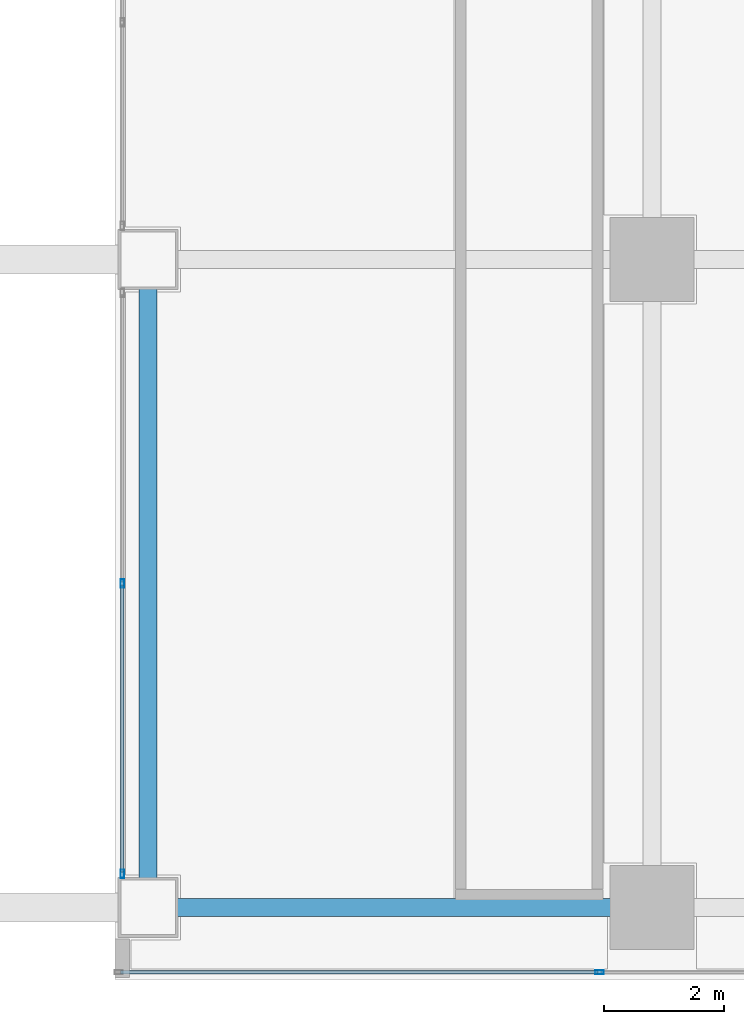
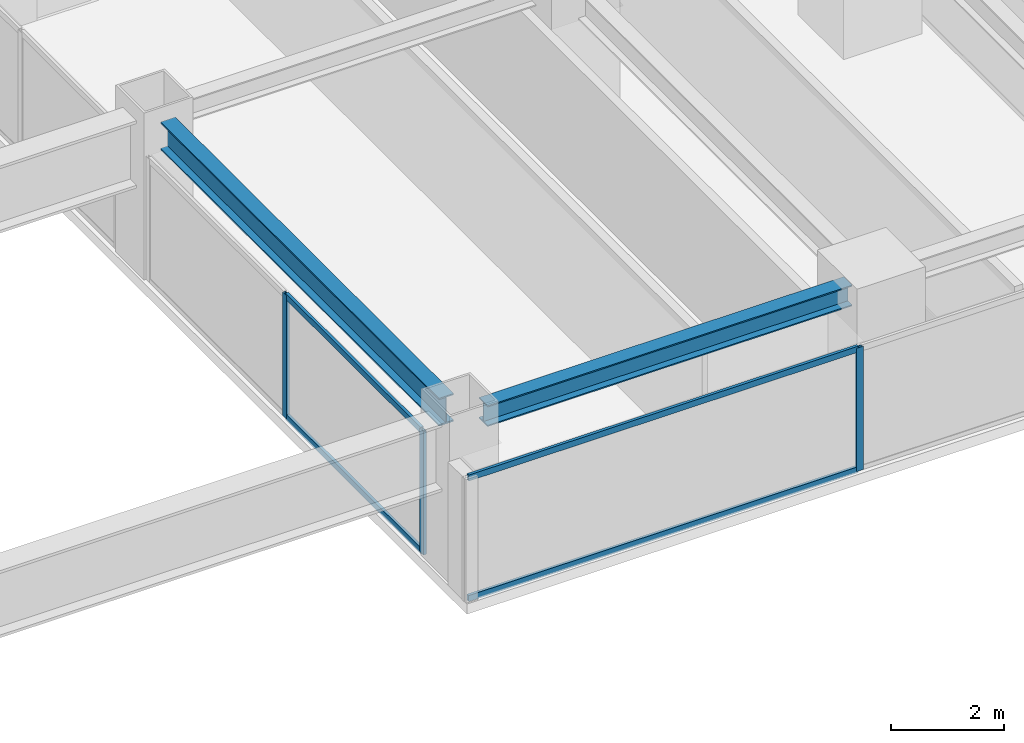
# One storey, part 14 of 32: 7 members, 2 beams, 2 elements without a shape of their own.
"""IFC4 building model written with IfcOpenShell, lengths in metres."""

from ifc_helpers import new_model, si_unit, direction, frame, origin, origin_2d, place, context, subcontext, project, spatial, hollow_rectangle, i_section, extrude, source, transform, mapped, material, layer, layer_set, material_profile, profile_set, type_object, element, aggregate, save


model = new_model("IFC4")

# Units and contexts
model_context = context("Model", 3, precision=1e-05, world=origin(), true_north=direction((0.0, 1.0)))
body_context = subcontext(model_context, "Body", "Model", "MODEL_VIEW")
ifc_project = project(units=[si_unit("LENGTHUNIT", "METRE"), si_unit("AREAUNIT", "SQUARE_METRE"), si_unit("VOLUMEUNIT", "CUBIC_METRE"), si_unit("PLANEANGLEUNIT", "RADIAN"), si_unit("MASSUNIT", "GRAM", prefix="KILO")], contexts=[model_context])

# Site, building, storey
site_placement = place(None, origin())
site = spatial("IfcSite", under=ifc_project, at=site_placement, CompositionType="ELEMENT")
building_placement = place(site_placement, origin())
building = spatial("IfcBuilding", under=site, at=building_placement, Name="Sumidabori Civic Tower", CompositionType="ELEMENT")
storey_placement = place(building_placement, frame((0.0, 0.0, 225.199951171875)))
storey = spatial("IfcBuildingStorey", under=building, at=storey_placement, Name="L58", CompositionType="ELEMENT", Elevation=225.199951171875)

# Beams
ifc_material_1 = material(Name="Steel SN490", Category="steel")
ifc_material_profile_1 = material_profile(ifc_material_1, i_section(OverallWidth=0.300048828125, OverallDepth=0.60009765625, WebThickness=0.015380859375, FlangeThickness=0.030029296875, at=origin_2d()), Name="HE 600 B")
ifc_profile_set_1 = profile_set([ifc_material_profile_1], Name="Steel SN490")
beam_type_1 = type_object("IfcBeamType", Name="BM-GIRD-600", PredefinedType="BEAM", material=ifc_profile_set_1)
shared_shape_1 = source(origin(), body_context, "Body", "SweptSolid", [
    extrude(i_section(OverallWidth=0.300048828125, OverallDepth=0.60009765625, WebThickness=0.015380859375, FlangeThickness=0.030029296875, at=origin_2d()), origin(), (0.0, 0.0, 1.0), 9.840087890625),
])
beam_1_placement = place(storey_placement, frame((8.39990234375, -10.320068359375, 2.97998046875), z_axis=(0.0, 1.0, 0.0), x_axis=(-1.0, 0.0, 0.0)))
element("IfcBeam", 1, at=beam_1_placement, inside=storey, type_object=beam_type_1, Name="Primary Girder L58 GY-18", PredefinedType="BEAM", context=body_context, shape_type="MappedRepresentation", body=[
    mapped(shared_shape_1, transform((0.0, 0.0, 0.0), x_axis=(1.0, 0.0, 0.0), y_axis=(0.0, 1.0, 0.0), z_axis=(0.0, 0.0, 1.0), scale=1.0)),
])
ifc_material_profile_2 = material_profile(ifc_material_1, i_section(OverallWidth=0.300048828125, OverallDepth=0.449951171875, WebThickness=0.013916015625, FlangeThickness=0.02587890625, at=origin_2d()), Name="HE 450 B")
ifc_profile_set_2 = profile_set([ifc_material_profile_2], Name="Steel SN490")
beam_type_2 = type_object("IfcBeamType", Name="BM-GIRD-450", PredefinedType="BEAM", material=ifc_profile_set_2)
shared_shape_2 = source(origin(), body_context, "Body", "SweptSolid", [
    extrude(i_section(OverallWidth=0.300048828125, OverallDepth=0.449951171875, WebThickness=0.013916015625, FlangeThickness=0.02587890625, at=origin_2d()), origin(), (0.0, 0.0, 1.0), 7.440185546875),
])
beam_2_placement = place(storey_placement, frame((8.8798828125, -10.800048828125, 3.054931640625), z_axis=(1.0, 0.0, 0.0), x_axis=(0.0, 1.0, 0.0)))
element("IfcBeam", 2, at=beam_2_placement, inside=storey, type_object=beam_type_2, Name="Primary Girder L58 GX-03", PredefinedType="BEAM", context=body_context, shape_type="MappedRepresentation", body=[
    mapped(shared_shape_2, transform((0.0, 0.0, 0.0), x_axis=(1.0, 0.0, 0.0), y_axis=(0.0, 1.0, 0.0), z_axis=(0.0, 0.0, 1.0), scale=1.0)),
])

# Curtain wall, members
ifc_material_2 = material(Name="Anodised Bronze Aluminium AW-6063-T6", Category="aluminium")
ifc_layer_1 = layer(ifc_material_2, 0.179931640625, Name="Anodised Bronze Aluminium AW-6063-T6")
ifc_layer_set_1 = layer_set([ifc_layer_1], Name="Anodised Bronze Aluminium AW-6063-T6")
curtain_wall_type_1 = type_object("IfcCurtainWallType", Name="CW-SYS-5", PredefinedType="NOTDEFINED", material=ifc_layer_set_1)
curtain_wall_1_placement = place(storey_placement, origin())
curtain_wall_1 = element("IfcCurtainWall", 3, at=curtain_wall_1_placement, inside=storey, type_object=curtain_wall_type_1, Name="Curtain Wall CW:L58:R09", PredefinedType="NOTDEFINED")
ifc_material_profile_3 = material_profile(ifc_material_2, hollow_rectangle(XDim=0.06005859375, YDim=0.1298828125, WallThickness=0.0048828125, at=origin_2d()), Name="ALU TRANSOM 130x60")
ifc_profile_set_3 = profile_set([ifc_material_profile_3], Name="Anodised Bronze Aluminium AW-6063-T6")
member_type_1 = type_object("IfcMemberType", Name="CW-TRN-130", PredefinedType="USERDEFINED", material=ifc_profile_set_3)
shared_shape_3 = source(origin(), body_context, "Body", "SweptSolid", [
    extrude(hollow_rectangle(XDim=0.06005859375, YDim=0.1298828125, WallThickness=0.0048828125, at=origin_2d()), origin(), (0.0, 0.0, 1.0), 7.955078125),
])
member_1_placement = place(storey_placement, frame((7.93994140625, -11.8798828125, 0.030029296875), z_axis=(1.0, 0.0, 0.0), x_axis=(0.0, 1.0, 0.0)))
member_1 = element("IfcMember", 4, at=member_1_placement, type_object=member_type_1, Name="CW-5 transom 1.1", ObjectType="TRANSOM", PredefinedType="USERDEFINED", context=body_context, shape_type="MappedRepresentation", body=[
    mapped(shared_shape_3, transform((0.0, 0.0, 0.0), x_axis=(1.0, 0.0, 0.0), y_axis=(0.0, 1.0, 0.0), z_axis=(0.0, 0.0, 1.0), scale=1.0)),
])
member_2_placement = place(storey_placement, frame((7.93994140625, -11.8798828125, 2.630126953125), z_axis=(1.0, 0.0, 0.0), x_axis=(0.0, 1.0, 0.0)))
member_2 = element("IfcMember", 5, at=member_2_placement, type_object=member_type_1, Name="CW-5 transom 1.2", ObjectType="TRANSOM", PredefinedType="USERDEFINED", context=body_context, shape_type="MappedRepresentation", body=[
    mapped(shared_shape_3, transform((0.0, 0.0, 0.0), x_axis=(1.0, 0.0, 0.0), y_axis=(0.0, 1.0, 0.0), z_axis=(0.0, 0.0, 1.0), scale=1.0)),
])

ifc_layer_2 = layer(ifc_material_2, 0.179931640625, Name="Anodised Bronze Aluminium AW-6063-T6")
ifc_layer_set_2 = layer_set([ifc_layer_2], Name="Anodised Bronze Aluminium AW-6063-T6")
curtain_wall_type_2 = type_object("IfcCurtainWallType", Name="CW-SYS-4", PredefinedType="NOTDEFINED", material=ifc_layer_set_2)
curtain_wall_2_placement = place(storey_placement, origin())
curtain_wall_2 = element("IfcCurtainWall", 6, at=curtain_wall_2_placement, inside=storey, type_object=curtain_wall_type_2, Name="Curtain Wall CW:L58:R07", PredefinedType="NOTDEFINED")
shared_shape_4 = source(origin(), body_context, "Body", "SweptSolid", [
    extrude(hollow_rectangle(XDim=0.06005859375, YDim=0.1298828125, WallThickness=0.0048828125, at=origin_2d()), origin(), (0.0, 0.0, 1.0), 4.780029296875),
])
member_3_placement = place(storey_placement, frame((7.969970703125, -5.429931640625, 0.030029296875), z_axis=(0.0, -1.0, 0.0), x_axis=(1.0, 0.0, 0.0)))
member_3 = element("IfcMember", 7, at=member_3_placement, type_object=member_type_1, Name="CW-4 transom 2.1", ObjectType="TRANSOM", PredefinedType="USERDEFINED", context=body_context, shape_type="MappedRepresentation", body=[
    mapped(shared_shape_4, transform((0.0, 0.0, 0.0), x_axis=(1.0, 0.0, 0.0), y_axis=(0.0, 1.0, 0.0), z_axis=(0.0, 0.0, 1.0), scale=1.0)),
])
member_4_placement = place(storey_placement, frame((7.969970703125, -5.429931640625, 2.630126953125), z_axis=(0.0, -1.0, 0.0), x_axis=(1.0, 0.0, 0.0)))
member_4 = element("IfcMember", 8, at=member_4_placement, type_object=member_type_1, Name="CW-4 transom 2.2", ObjectType="TRANSOM", PredefinedType="USERDEFINED", context=body_context, shape_type="MappedRepresentation", body=[
    mapped(shared_shape_4, transform((0.0, 0.0, 0.0), x_axis=(1.0, 0.0, 0.0), y_axis=(0.0, 1.0, 0.0), z_axis=(0.0, 0.0, 1.0), scale=1.0)),
])
ifc_material_profile_4 = material_profile(ifc_material_2, hollow_rectangle(XDim=0.06005859375, YDim=0.139892578125, WallThickness=0.0048828125, at=origin_2d()), Name="ALU MULLION 140x60")
ifc_profile_set_4 = profile_set([ifc_material_profile_4], Name="Anodised Bronze Aluminium AW-6063-T6")
member_type_2 = type_object("IfcMemberType", Name="CW-MUL-140", PredefinedType="MULLION", material=ifc_profile_set_4)
shared_shape_5 = source(origin(), body_context, "Body", "SweptSolid", [
    extrude(hollow_rectangle(XDim=0.06005859375, YDim=0.139892578125, WallThickness=0.0048828125, at=origin_2d()), origin(), (0.0, 0.0, 1.0), 2.66015625),
])
member_5_placement = place(storey_placement, frame((7.969970703125, -5.39990234375, 0.0), z_axis=(0.0, 0.0, 1.0), x_axis=(1.0, 0.0, 0.0)))
member_5 = element("IfcMember", 9, at=member_5_placement, type_object=member_type_2, Name="CW-4 mullion 2", PredefinedType="MULLION", context=body_context, shape_type="MappedRepresentation", body=[
    mapped(shared_shape_5, transform((0.0, 0.0, 0.0), x_axis=(1.0, 0.0, 0.0), y_axis=(0.0, 1.0, 0.0), z_axis=(0.0, 0.0, 1.0), scale=1.0)),
])
member_6_placement = place(storey_placement, frame((7.969970703125, -10.239990234375, 0.0), z_axis=(0.0, 0.0, 1.0), x_axis=(1.0, 0.0, 0.0)))
member_6 = element("IfcMember", 10, at=member_6_placement, type_object=member_type_2, Name="CW-4 mullion 3", PredefinedType="MULLION", context=body_context, shape_type="MappedRepresentation", body=[
    mapped(shared_shape_5, transform((0.0, 0.0, 0.0), x_axis=(1.0, 0.0, 0.0), y_axis=(0.0, 1.0, 0.0), z_axis=(0.0, 0.0, 1.0), scale=1.0)),
])
aggregate(curtain_wall_2, [member_5, member_6, member_3, member_4])

# Member
member_7_placement = place(storey_placement, frame((15.925048828125, -11.8798828125, 0.0), z_axis=(0.0, 0.0, 1.0), x_axis=(0.0, 1.0, 0.0)))
member_7 = element("IfcMember", 11, at=member_7_placement, type_object=member_type_2, Name="CW-5 mullion 2", PredefinedType="MULLION", context=body_context, shape_type="MappedRepresentation", body=[
    mapped(shared_shape_5, transform((0.0, 0.0, 0.0), x_axis=(1.0, 0.0, 0.0), y_axis=(0.0, 1.0, 0.0), z_axis=(0.0, 0.0, 1.0), scale=1.0)),
])

aggregate(curtain_wall_1, [member_7, member_1, member_2])

save(model, "model.ifc")
